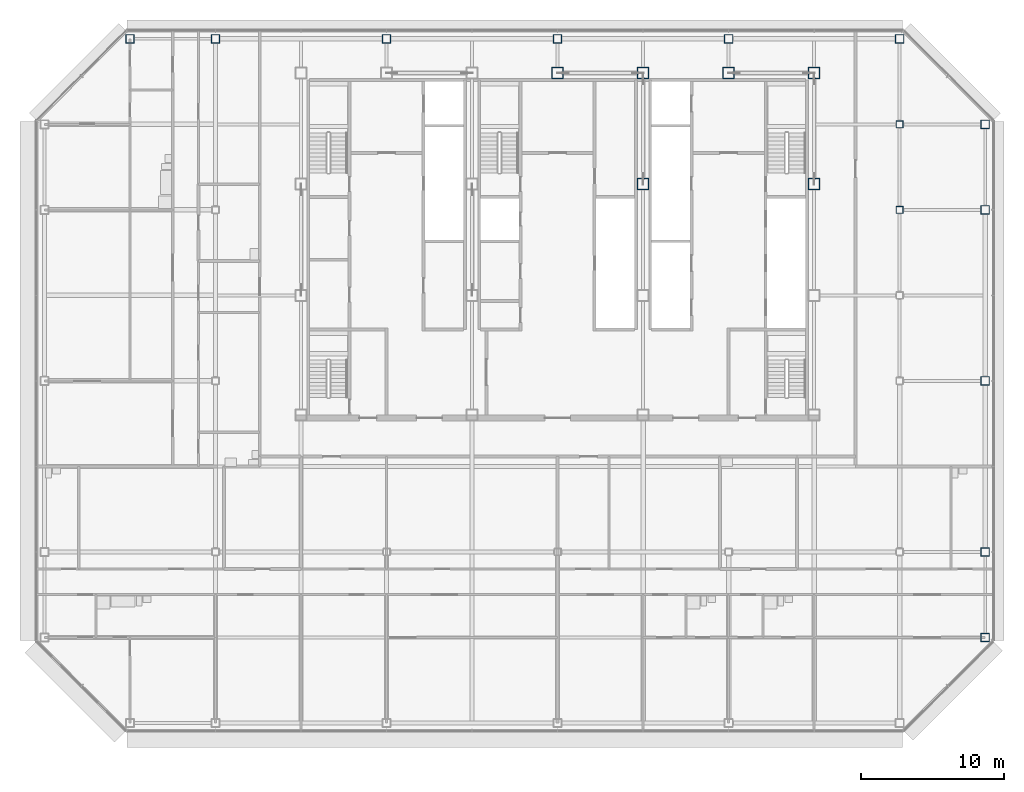
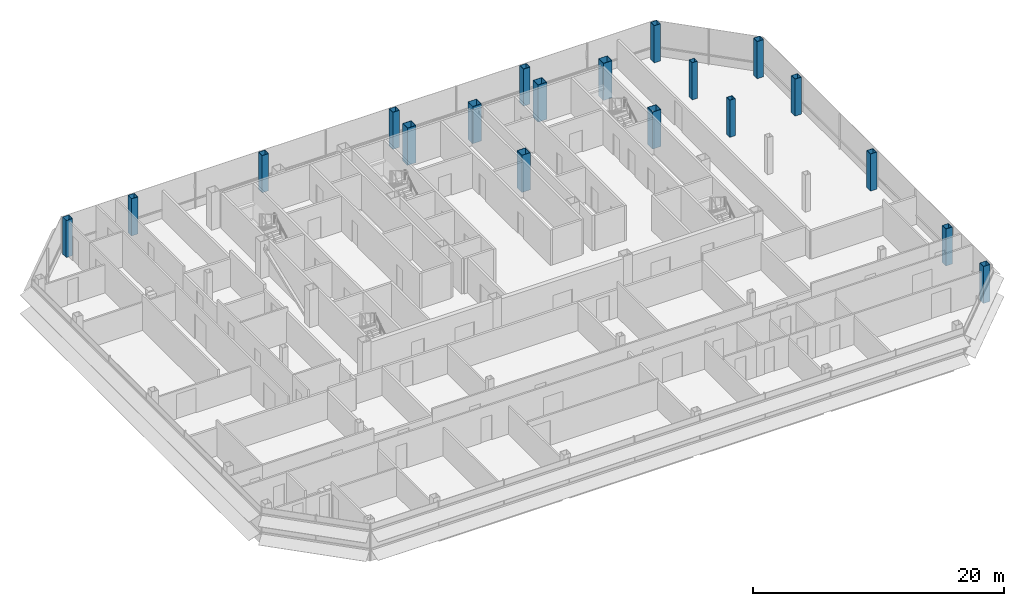
# One storey, part 2 of 27: 19 columns.
"""IFC4 building model written with IfcOpenShell, lengths in metres."""

from ifc_helpers import new_model, si_unit, direction, frame, origin, origin_2d, place, context, subcontext, project, spatial, hollow_rectangle, extrude, material, material_profile, profile_set, type_object, element, save


model = new_model("IFC4")

# Units and contexts
model_context = context("Model", 3, precision=1e-05, world=origin(), true_north=direction((0.0, 1.0)))
body_context = subcontext(model_context, "Body", "Model", "MODEL_VIEW")
ifc_project = project(units=[si_unit("LENGTHUNIT", "METRE"), si_unit("AREAUNIT", "SQUARE_METRE"), si_unit("VOLUMEUNIT", "CUBIC_METRE"), si_unit("PLANEANGLEUNIT", "RADIAN"), si_unit("MASSUNIT", "GRAM", prefix="KILO")], contexts=[model_context])

# Site, building, storey
site_placement = place(None, origin())
site = spatial("IfcSite", under=ifc_project, at=site_placement, CompositionType="ELEMENT")
building_placement = place(site_placement, origin())
building = spatial("IfcBuilding", under=site, at=building_placement, Name="Sorahane Residences", CompositionType="ELEMENT")
storey_placement = place(building_placement, frame((0.0, 0.0, 246.800048828125)))
storey = spatial("IfcBuildingStorey", under=building, at=storey_placement, Name="L58", CompositionType="ELEMENT", Elevation=246.800048828125)

# Columns
ifc_material_1 = material(Name="Steel Q355B", Category="steel")
ifc_material_profile_1 = material_profile(ifc_material_1, hollow_rectangle(XDim=0.5, YDim=0.5, WallThickness=0.02490234375, at=origin_2d()), Name="BOX 500x500x25")
ifc_profile_set_1 = profile_set([ifc_material_profile_1], Name="Steel Q355B")
column_type_1 = type_object("IfcColumnType", Name="Steel box column BOX 500x500x25 Q355B", PredefinedType="COLUMN", material=ifc_profile_set_1)
for number, where, z_axis, x_axis, name in (
    (1, (48.0, 36.0, 0.0), (0.0, 0.0, 1.0), (1.0, 0.0, 0.0), "Column L58 48/36"),
    (2, (48.0, 42.0, 0.0), (0.0, 0.0, 1.0), (1.0, 0.0, 0.0), "Column L58 48/42"),
):
    element("IfcColumn", number, at=place(storey_placement, frame(where, z_axis=z_axis, x_axis=x_axis)), inside=storey, type_object=column_type_1, Name=name, PredefinedType="COLUMN", context=body_context, shape_type="SweptSolid", body=[
        extrude(hollow_rectangle(XDim=0.5, YDim=0.5, WallThickness=0.02490234375, at=origin_2d()), origin(), (0.0, 0.0, 1.0), 3.599853515625),
    ])
ifc_material_2 = material(Name="Steel Q355B", Category="steel")
ifc_material_profile_2 = material_profile(ifc_material_2, hollow_rectangle(XDim=0.60009765625, YDim=0.60009765625, WallThickness=0.028076171875, at=origin_2d()), Name="BOX 600x600x28")
ifc_profile_set_2 = profile_set([ifc_material_profile_2], Name="Steel Q355B")
column_type_2 = type_object("IfcColumnType", Name="Steel box column BOX 600x600x28 Q355B", PredefinedType="COLUMN", material=ifc_profile_set_2)
for number, where, z_axis, x_axis, name in (
    (3, (-6.0, 48.0, 0.0), (0.0, 0.0, 1.0), (1.0, 0.0, 0.0), "Column L58 m6/48"),
    (4, (0.0, 48.0, 0.0), (0.0, 0.0, 1.0), (1.0, 0.0, 0.0), "Column L58 0/48"),
    (5, (12.0, 48.0, 0.0), (0.0, 0.0, 1.0), (1.0, 0.0, 0.0), "Column L58 12/48"),
    (6, (24.0, 48.0, 0.0), (0.0, 0.0, 1.0), (1.0, 0.0, 0.0), "Column L58 24/48"),
    (7, (36.0, 48.0, 0.0), (0.0, 0.0, 1.0), (1.0, 0.0, 0.0), "Column L58 36/48"),
    (8, (48.0, 48.0, 0.0), (0.0, 0.0, 1.0), (1.0, 0.0, 0.0), "Column L58 48/48"),
    (9, (54.0, 6.0, 0.0), (0.0, 0.0, 1.0), (1.0, 0.0, 0.0), "Column L58 54/6"),
    (10, (54.0, 12.0, 0.0), (0.0, 0.0, 1.0), (1.0, 0.0, 0.0), "Column L58 54/12"),
    (11, (54.0, 24.0, 0.0), (0.0, 0.0, 1.0), (1.0, 0.0, 0.0), "Column L58 54/24"),
    (12, (54.0, 36.0, 0.0), (0.0, 0.0, 1.0), (1.0, 0.0, 0.0), "Column L58 54/36"),
    (13, (54.0, 42.0, 0.0), (0.0, 0.0, 1.0), (1.0, 0.0, 0.0), "Column L58 54/42"),
):
    element("IfcColumn", number, at=place(storey_placement, frame(where, z_axis=z_axis, x_axis=x_axis)), inside=storey, type_object=column_type_2, Name=name, PredefinedType="COLUMN", context=body_context, shape_type="SweptSolid", body=[
        extrude(hollow_rectangle(XDim=0.60009765625, YDim=0.60009765625, WallThickness=0.028076171875, at=origin_2d()), origin(), (0.0, 0.0, 1.0), 3.599853515625),
    ])
ifc_material_3 = material(Name="Steel Q355B", Category="steel")
ifc_material_profile_3 = material_profile(ifc_material_3, hollow_rectangle(XDim=0.800048828125, YDim=0.800048828125, WallThickness=0.031982421875, at=origin_2d()), Name="BOX 800x800x32")
ifc_profile_set_3 = profile_set([ifc_material_profile_3], Name="Steel Q355B")
column_type_3 = type_object("IfcColumnType", Name="Steel box column BOX 800x800x32 Q355B", PredefinedType="COLUMN", material=ifc_profile_set_3)
for number, where, z_axis, x_axis, name in (
    (14, (24.0, 45.60009765625, 0.0), (0.0, 0.0, 1.0), (1.0, 0.0, 0.0), "Column L58 24/45.6"),
    (15, (30.0, 37.800048828125, 0.0), (0.0, 0.0, 1.0), (1.0, 0.0, 0.0), "Column L58 30/37.8"),
    (16, (30.0, 45.60009765625, 0.0), (0.0, 0.0, 1.0), (1.0, 0.0, 0.0), "Column L58 30/45.6"),
    (17, (36.0, 45.60009765625, 0.0), (0.0, 0.0, 1.0), (1.0, 0.0, 0.0), "Column L58 36/45.6"),
    (18, (42.0, 37.800048828125, 0.0), (0.0, 0.0, 1.0), (1.0, 0.0, 0.0), "Column L58 42/37.8"),
    (19, (42.0, 45.60009765625, 0.0), (0.0, 0.0, 1.0), (1.0, 0.0, 0.0), "Column L58 42/45.6"),
):
    element("IfcColumn", number, at=place(storey_placement, frame(where, z_axis=z_axis, x_axis=x_axis)), inside=storey, type_object=column_type_3, Name=name, PredefinedType="COLUMN", context=body_context, shape_type="SweptSolid", body=[
        extrude(hollow_rectangle(XDim=0.800048828125, YDim=0.800048828125, WallThickness=0.031982421875, at=origin_2d()), origin(), (0.0, 0.0, 1.0), 3.599853515625),
    ])

save(model, "model.ifc")
